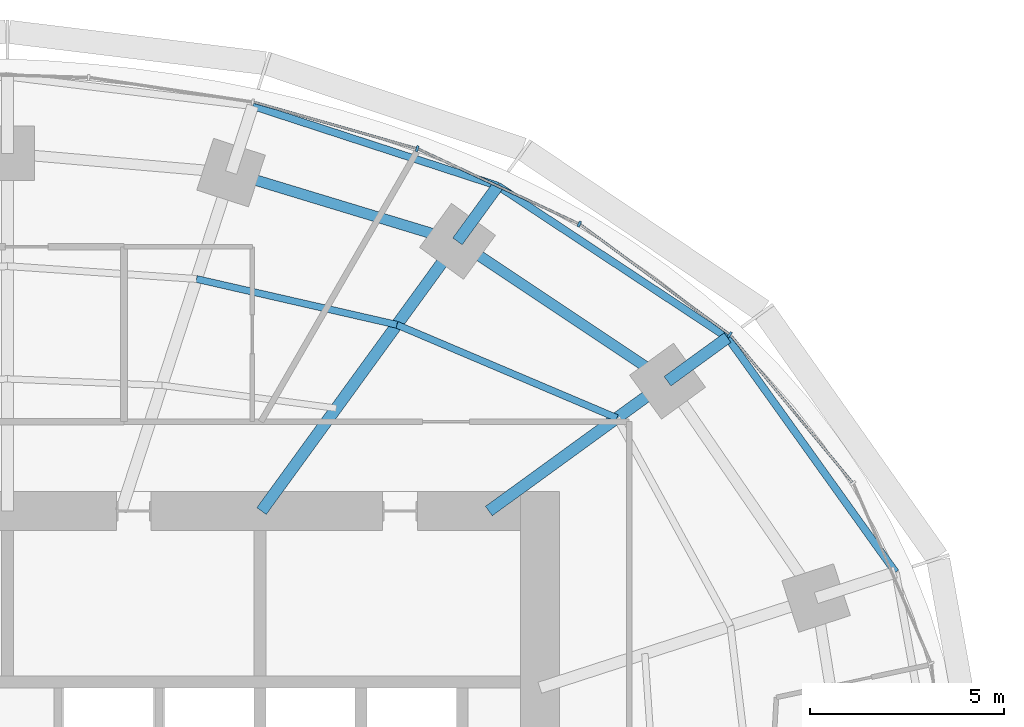
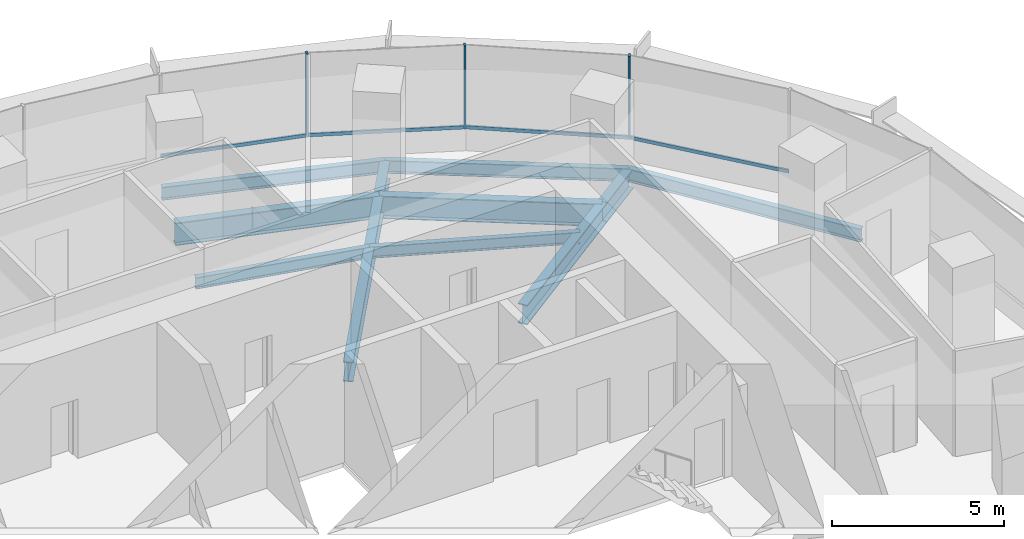
# One storey, part 8 of 14: 11 beams, 7 members, 2 elements without a shape of their own.
"""IFC4 building model written with IfcOpenShell, lengths in metres."""

import ifcopenshell
import ifcopenshell.guid

model = None  # the IFC model being written
_history = None  # IfcOwnerHistory: only IFC2X3 demands one
_inside = {}  # id of a spatial element -> (the spatial element, [elements in it])
_under = {}  # id of a project, library or spatial element -> (it, [spatial elements below it])
_declared = {}  # id of a project -> (the project, [libraries it declares])
_typed = {}  # id of a type object -> (the type object, [elements of that type])
_made_of = {}  # id of a material, layer set ... -> (it, [elements and type objects made of it])


def new_model(schema):
    """Start an empty IFC model of exactly this schema.

    Asked for "IFC4X3", IfcOpenShell would pick the latest addendum, in which some entities
    have other attributes; the version numbers below select the first issue.
    IFC2X3 requires an IfcOwnerHistory on every rooted entity: one is made here for all.
    """
    global model, _history
    if schema == "IFC4X3":
        model = ifcopenshell.file(schema_version=(4, 3, 0, 0))
    else:
        model = ifcopenshell.file(schema=schema)
    _inside.clear()
    _under.clear()
    _declared.clear()
    _typed.clear()
    _made_of.clear()
    _history = None
    if model.schema == "IFC2X3":
        org = make("IfcOrganization", Name="unknown")
        user = make(
            "IfcPersonAndOrganization",
            ThePerson=make("IfcPerson", FamilyName="unknown"),
            TheOrganization=org,
        )
        app = make(
            "IfcApplication",
            ApplicationDeveloper=org,
            Version="unknown",
            ApplicationFullName="unknown",
            ApplicationIdentifier="unknown",
        )
        _history = make(
            "IfcOwnerHistory",
            OwningUser=user,
            OwningApplication=app,
            ChangeAction="ADDED",
            CreationDate=0,
        )
    return model


def make(cls, **values):
    """One entity of the class cls with the attributes given. An attribute that is None is left unset."""
    return model.create_entity(
        cls, **{name: value for name, value in values.items() if value is not None}
    )


def rooted(cls, **values):
    """An entity with a GlobalId (a new one), such as an element, a storey or a relation."""
    return make(cls, GlobalId=ifcopenshell.guid.new(), OwnerHistory=_history, **values)


def si_unit(unit_type, name, prefix=None):
    """IfcSIUnit, for example si_unit("LENGTHUNIT", "METRE", prefix="MILLI")."""
    return make("IfcSIUnit", UnitType=unit_type, Prefix=prefix, Name=name)


def assignment(units):
    """IfcUnitAssignment: the units of a project."""
    return None if units is None else make("IfcUnitAssignment", Units=units)


def point(xyz):
    """IfcCartesianPoint."""
    return None if xyz is None else make("IfcCartesianPoint", Coordinates=xyz)


def direction(xyz):
    """IfcDirection."""
    return None if xyz is None else make("IfcDirection", DirectionRatios=xyz)


def frame(location, z_axis=None, x_axis=None):
    """IfcAxis2Placement3D, a coordinate frame: its origin and axes. An axis left out is left unset."""
    return make(
        "IfcAxis2Placement3D",
        Location=point(location),
        Axis=direction(z_axis),
        RefDirection=direction(x_axis),
    )


def frame_2d(location, x_axis=None):
    """IfcAxis2Placement2D, a coordinate frame in the plane: its origin and x axis."""
    return make(
        "IfcAxis2Placement2D", Location=point(location), RefDirection=direction(x_axis)
    )


def origin():
    """The frame at (0, 0, 0) with its axes left unset."""
    return frame((0.0, 0.0, 0.0))


def origin_2d():
    """The frame at (0, 0) in the plane with its x axis left unset."""
    return frame_2d((0.0, 0.0))


def place(relative_to, where):
    """IfcLocalPlacement: puts the frame where relative to a parent placement (None: the world)."""
    return make(
        "IfcLocalPlacement", PlacementRelTo=relative_to, RelativePlacement=where
    )


def context(
    kind, dimensions, precision=None, world=None, true_north=None, identifier=None
):
    """IfcGeometricRepresentationContext, for example the 3D "Model" context."""
    return make(
        "IfcGeometricRepresentationContext",
        ContextIdentifier=identifier,
        ContextType=kind,
        CoordinateSpaceDimension=dimensions,
        Precision=precision,
        WorldCoordinateSystem=world,
        TrueNorth=true_north,
    )


def subcontext(parent, identifier, kind, view, scale=None):
    """IfcGeometricRepresentationSubContext, for example "Body" below "Model"."""
    return make(
        "IfcGeometricRepresentationSubContext",
        ContextIdentifier=identifier,
        ContextType=kind,
        ParentContext=parent,
        TargetScale=scale,
        TargetView=view,
    )


def project(units=None, contexts=None):
    """IfcProject with its units and contexts."""
    return rooted(
        "IfcProject",
        Name="project",
        RepresentationContexts=contexts,
        UnitsInContext=assignment(units),
    )


def spatial(cls, under=None, at=None, **own):
    """A site, building, storey or space (cls), placed at a placement, below another one or the project."""
    s = rooted(cls, ObjectPlacement=at, **own)
    if under is not None:
        _under.setdefault(under.id(), (under, []))[1].append(s)
    return s


def profile(cls, at=None, kind="AREA", **sizes):
    """A parametric profile (cls). Its sizes go by their IFC names, for example OverallWidth=200.0."""
    return make(cls, ProfileType=kind, Position=at, **sizes)


def rectangle(**sizes):
    """IfcRectangleProfileDef."""
    return profile("IfcRectangleProfileDef", **sizes)


def i_section(**sizes):
    """IfcIShapeProfileDef."""
    return profile("IfcIShapeProfileDef", **sizes)


def extrude(swept, where, along, depth):
    """IfcExtrudedAreaSolid: the profile swept, set in the frame where, extruded along a direction by depth."""
    return make(
        "IfcExtrudedAreaSolid",
        SweptArea=swept,
        Position=where,
        ExtrudedDirection=direction(along),
        Depth=depth,
    )


def shape(context_of_items, identifier, shape_type, items):
    """IfcShapeRepresentation: the items that make up one representation, for example the "Body"."""
    return make(
        "IfcShapeRepresentation",
        ContextOfItems=context_of_items,
        RepresentationIdentifier=identifier,
        RepresentationType=shape_type,
        Items=items,
    )


def material(Name=None, Category=None):
    """IfcMaterial."""
    return make("IfcMaterial", Name=Name, Category=Category)


def material_profile(
    of_material, cross_section, Name=None, Category=None, Priority=None
):
    """IfcMaterialProfile: a cross section and its material."""
    return make(
        "IfcMaterialProfile",
        Name=Name,
        Material=of_material,
        Profile=cross_section,
        Priority=Priority,
        Category=Category,
    )


def profile_set(profiles, Name=None, composite=None):
    """IfcMaterialProfileSet."""
    return make(
        "IfcMaterialProfileSet",
        Name=Name,
        MaterialProfiles=profiles,
        CompositeProfile=composite,
    )


def made_of(thing, what):
    """Note that an element or type object is made of a material, layer set ...; save() writes the relation."""
    if what is not None:
        _made_of.setdefault(what.id(), (what, []))[1].append(thing)
    return thing


def type_object(cls, material=None, **own):
    """A type object (cls), such as IfcWallType, which elements share."""
    return made_of(rooted(cls, **own), material)


def element(
    cls,
    number,
    at=None,
    inside=None,
    cuts=None,
    type_object=None,
    material=None,
    context=None,
    identifier="Body",
    shape_type=None,
    held_by="IfcProductDefinitionShape",
    body=None,
    shapes=None,
    **own,
):
    """One element of the class cls, such as IfcWall. Its Tag is "e" and its number.

    at: its placement. inside: the storey or other place that contains it. cuts: it is an
    opening in that element (IfcRelVoidsElement). A single representation is given by context,
    identifier, shape_type and body (its items); several are given by shapes. held_by: the class
    of the entity that holds the representations. save() writes the other relations.
    """
    e = rooted(cls, Tag="e%d" % number, ObjectPlacement=at, **own)
    if body is not None:
        shapes = [shape(context, identifier, shape_type, body)]
    if shapes is not None:
        e.Representation = make(held_by, Representations=shapes)
    if inside is not None:
        _inside.setdefault(inside.id(), (inside, []))[1].append(e)
    if cuts is not None:
        rooted(
            "IfcRelVoidsElement", RelatingBuildingElement=cuts, RelatedOpeningElement=e
        )
    if type_object is not None:
        _typed.setdefault(type_object.id(), (type_object, []))[1].append(e)
    return made_of(e, material)


def aggregate(whole, parts):
    """IfcRelAggregates: a whole, such as a stair, and the parts it consists of."""
    return rooted("IfcRelAggregates", RelatingObject=whole, RelatedObjects=parts)


def save(model, path):
    """Write the relations noted so far, then the file.

    IfcRelAggregates (storeys below a building ...), IfcRelContainedInSpatialStructure (elements
    in a storey), IfcRelDefinesByType, IfcRelAssociatesMaterial and IfcRelDeclares: one each for
    every whole, place, type object, material and project.
    """
    for whole, parts in _under.values():
        aggregate(whole, parts)
    for where, things in _inside.values():
        rooted(
            "IfcRelContainedInSpatialStructure",
            RelatedElements=things,
            RelatingStructure=where,
        )
    for kind, things in _typed.values():
        rooted("IfcRelDefinesByType", RelatedObjects=things, RelatingType=kind)
    for what, things in _made_of.values():
        rooted("IfcRelAssociatesMaterial", RelatedObjects=things, RelatingMaterial=what)
    for by, libraries in _declared.values():
        rooted("IfcRelDeclares", RelatingContext=by, RelatedDefinitions=libraries)
    model.write(path)


model = new_model("IFC4")

# Units and contexts
model_context = context("Model", 3, precision=1e-05, world=origin(), true_north=direction((0.0, 1.0)))
body_context = subcontext(model_context, "Body", "Model", "MODEL_VIEW")
ifc_project = project(units=[si_unit("LENGTHUNIT", "METRE"), si_unit("AREAUNIT", "SQUARE_METRE"), si_unit("VOLUMEUNIT", "CUBIC_METRE"), si_unit("PLANEANGLEUNIT", "RADIAN"), si_unit("MASSUNIT", "GRAM", prefix="KILO")], contexts=[model_context])

# Site, building, storey
site_placement = place(None, origin())
site = spatial("IfcSite", under=ifc_project, at=site_placement, CompositionType="ELEMENT")
building_placement = place(site_placement, origin())
building = spatial("IfcBuilding", under=site, at=building_placement, Name="Marramba Exchange Tower", CompositionType="ELEMENT")
storey_placement = place(building_placement, frame((0.0, 0.0, 199.39990234375)))
storey = spatial("IfcBuildingStorey", under=building, at=storey_placement, Name="L48", CompositionType="ELEMENT", Elevation=199.39990234375)

# Beams
ifc_material_1 = material(Name="Steel AS/NZS 3679.2 grade 300", Category="steel")
ifc_material_profile_1 = material_profile(ifc_material_1, i_section(OverallWidth=0.300048828125, OverallDepth=0.699951171875, WebThickness=0.010009765625, FlangeThickness=0.031982421875, at=origin_2d()), Name="700WB173")
ifc_profile_set_1 = profile_set([ifc_material_profile_1], Name="Steel AS/NZS 3679.2 grade 300")
beam_type_1 = type_object("IfcBeamType", Name="Cantilever girder 700WB173", PredefinedType="BEAM", material=ifc_profile_set_1)
beam_1_placement = place(storey_placement, frame((16.98583984375, 12.3408203125, -0.510009765625), z_axis=(0.808962750283, 0.587859905636, 0.0), x_axis=(-0.587859905636, 0.808962750283, 0.0)))
element("IfcBeam", 1, at=beam_1_placement, inside=storey, type_object=beam_type_1, Name="Cantilever girder L48 TC03", PredefinedType="BEAM", context=body_context, shape_type="SweptSolid", body=[
    extrude(i_section(OverallWidth=0.300048828125, OverallDepth=0.699951171875, WebThickness=0.010009765625, FlangeThickness=0.031982421875, at=origin_2d()), origin(), (0.0, 0.0, 1.0), 1.9091796875),
])
beam_2_placement = place(storey_placement, frame((11.581298828125, 15.9404296875, -0.510009765625), z_axis=(0.587817766387, 0.808993370504, 0.0), x_axis=(-0.808993370504, 0.587817766387, 0.0)))
element("IfcBeam", 2, at=beam_2_placement, inside=storey, type_object=beam_type_1, Name="Cantilever girder L48 TC04", PredefinedType="BEAM", context=body_context, shape_type="SweptSolid", body=[
    extrude(i_section(OverallWidth=0.300048828125, OverallDepth=0.699951171875, WebThickness=0.010009765625, FlangeThickness=0.031982421875, at=origin_2d()), origin(), (0.0, 0.0, 1.0), 1.763916015625),
])
ifc_material_2 = material(Name="Steel AS/NZS 3679.1 grade 300", Category="steel")
ifc_material_profile_2 = material_profile(ifc_material_2, i_section(OverallWidth=0.177978515625, OverallDepth=0.406005859375, WebThickness=0.0078125, FlangeThickness=0.0126953125, FilletRadius=0.011474609375, at=origin_2d()), Name="410UB59.7")
ifc_profile_set_2 = profile_set([ifc_material_profile_2], Name="Steel AS/NZS 3679.1 grade 300")
beam_type_2 = type_object("IfcBeamType", Name="Floor joist 410UB59.7", PredefinedType="JOIST", material=ifc_profile_set_2)
beam_3_placement = place(storey_placement, frame((15.682373046875, 11.393798828125, -0.36279296875), z_axis=(-0.920674336375, 0.390331610738, 0.0), x_axis=(-0.390331610738, -0.920674336375, 0.0)))
element("IfcBeam", 3, at=beam_3_placement, inside=storey, type_object=beam_type_2, Name="Joist L48 bay 03 row 2", PredefinedType="JOIST", context=body_context, shape_type="SweptSolid", body=[
    extrude(i_section(OverallWidth=0.177978515625, OverallDepth=0.406005859375, WebThickness=0.0078125, FlangeThickness=0.0126953125, FilletRadius=0.011474609375, at=origin_2d()), origin(), (0.0, 0.0, 1.0), 6.1484375),
])
beam_4_placement = place(storey_placement, frame((10.021728515625, 13.793701171875, -0.36279296875), z_axis=(-0.974859652292, 0.222819788916, 0.0), x_axis=(-0.222819788916, -0.974859652292, 0.0)))
element("IfcBeam", 4, at=beam_4_placement, inside=storey, type_object=beam_type_2, Name="Joist L48 bay 04 row 2", PredefinedType="JOIST", context=body_context, shape_type="SweptSolid", body=[
    extrude(i_section(OverallWidth=0.177978515625, OverallDepth=0.406005859375, WebThickness=0.0078125, FlangeThickness=0.0126953125, FilletRadius=0.011474609375, at=origin_2d()), origin(), (0.0, 0.0, 1.0), 5.2900390625),
])

# Curtain wall, members
ifc_material_3 = material(Name="Aluminium framing, bronze anodised", Category="aluminium")
curtain_wall_type = type_object("IfcCurtainWallType", Name="Office ribbon curtain wall", PredefinedType="USERDEFINED", material=ifc_material_3)
curtain_wall_1_placement = place(storey_placement, origin())
curtain_wall_1 = element("IfcCurtainWall", 5, at=curtain_wall_1_placement, inside=storey, type_object=curtain_wall_type, Name="Curtain wall CW4 L48 F01-F05", ObjectType="RIBBON CURTAIN WALL", PredefinedType="USERDEFINED")
ifc_material_4 = material(Name="Aluminium mullion, bronze anodised", Category="aluminium")
ifc_material_profile_3 = material_profile(ifc_material_4, rectangle(XDim=0.159912109375, YDim=0.06005859375, at=origin_2d()), Name="CW4 mullion 60x160")
ifc_profile_set_3 = profile_set([ifc_material_profile_3], Name="Aluminium mullion, bronze anodised")
member_type_1 = type_object("IfcMemberType", Name="Office ribbon curtain wall mullion", PredefinedType="MULLION", material=ifc_profile_set_3)
member_1_placement = place(storey_placement, frame((18.587158203125, 13.53955078125, 0.800048828125), z_axis=(0.0, 0.0, 1.0), x_axis=(-0.593441317494, -0.804877259395, 0.0)))
member_1 = element("IfcMember", 6, at=member_1_placement, type_object=member_type_1, Name="CW4 mullion 1", PredefinedType="MULLION", context=body_context, shape_type="SweptSolid", body=[
    extrude(rectangle(XDim=0.159912109375, YDim=0.06005859375, at=origin_2d()), origin(), (0.0, 0.0, 1.0), 2.93994140625),
])
member_2_placement = place(storey_placement, frame((14.7158203125, 16.386474609375, 0.800048828125), z_axis=(0.0, 0.0, 1.0), x_axis=(-0.422133006189, -0.906533907301, 0.0)))
member_2 = element("IfcMember", 7, at=member_2_placement, type_object=member_type_1, Name="CW4 mullion 1", PredefinedType="MULLION", context=body_context, shape_type="SweptSolid", body=[
    extrude(rectangle(XDim=0.159912109375, YDim=0.06005859375, at=origin_2d()), origin(), (0.0, 0.0, 1.0), 2.93994140625),
])

# Curtain wall, member
curtain_wall_2_placement = place(storey_placement, origin())
curtain_wall_2 = element("IfcCurtainWall", 8, at=curtain_wall_2_placement, inside=storey, type_object=curtain_wall_type, Name="Curtain wall CW4 L48 F06-F10", ObjectType="RIBBON CURTAIN WALL", PredefinedType="USERDEFINED")
member_3_placement = place(storey_placement, frame((10.54541015625, 18.3232421875, 0.800048828125), z_axis=(0.0, 0.0, 1.0), x_axis=(-0.274248164656, -0.961658954195, 0.0)))
member_3 = element("IfcMember", 9, at=member_3_placement, type_object=member_type_1, Name="CW4 mullion 1", PredefinedType="MULLION", context=body_context, shape_type="SweptSolid", body=[
    extrude(rectangle(XDim=0.159912109375, YDim=0.06005859375, at=origin_2d()), origin(), (0.0, 0.0, 1.0), 2.93994140625),
])

# Member
ifc_material_5 = material(Name="Aluminium transom, bronze anodised", Category="aluminium")
ifc_material_profile_4 = material_profile(ifc_material_5, rectangle(XDim=0.06005859375, YDim=0.1201171875, at=origin_2d()), Name="CW4 transom 60x120")
ifc_profile_set_4 = profile_set([ifc_material_profile_4], Name="Aluminium transom, bronze anodised")
member_type_2 = type_object("IfcMemberType", Name="Office ribbon curtain wall transom", PredefinedType="USERDEFINED", material=ifc_profile_set_4)
member_4_placement = place(storey_placement, frame((21.73779296875, 9.74169921875, 0.830078125), z_axis=(-0.637375191043, 0.770553609973, 0.0), x_axis=(-0.770553609973, -0.637375191043, 0.0)))
member_4 = element("IfcMember", 10, at=member_4_placement, type_object=member_type_2, Name="CW4 sill transom", ObjectType="TRANSOM", PredefinedType="USERDEFINED", context=body_context, shape_type="SweptSolid", body=[
    extrude(rectangle(XDim=0.06005859375, YDim=0.1201171875, at=origin_2d()), origin(), (0.0, 0.0, 1.0), 4.905517578125),
])

member_5_placement = place(storey_placement, frame((18.56298828125, 13.557373046875, 0.830078125), z_axis=(-0.804874780157, 0.593444680039, 0.0), x_axis=(-0.593444680039, -0.804874780157, 0.0)))
member_5 = element("IfcMember", 11, at=member_5_placement, type_object=member_type_2, Name="CW4 sill transom", ObjectType="TRANSOM", PredefinedType="USERDEFINED", context=body_context, shape_type="SweptSolid", body=[
    extrude(rectangle(XDim=0.06005859375, YDim=0.1201171875, at=origin_2d()), origin(), (0.0, 0.0, 1.0), 4.745849609375),
])

member_6_placement = place(storey_placement, frame((14.688720703125, 16.399169921875, 0.830078125), z_axis=(-0.906548348139, 0.422101992989, 0.0), x_axis=(-0.422101992989, -0.906548348139, 0.0)))
member_6 = element("IfcMember", 12, at=member_6_placement, type_object=member_type_2, Name="CW4 sill transom", ObjectType="TRANSOM", PredefinedType="USERDEFINED", context=body_context, shape_type="SweptSolid", body=[
    extrude(rectangle(XDim=0.06005859375, YDim=0.1201171875, at=origin_2d()), origin(), (0.0, 0.0, 1.0), 4.53857421875),
])

aggregate(curtain_wall_1, [member_4, member_1, member_5, member_2, member_6])

member_7_placement = place(storey_placement, frame((10.5166015625, 18.33154296875, 0.830078125), z_axis=(-0.961661807825, 0.274238158125, 0.0), x_axis=(-0.274238158125, -0.961661807825, 0.0)))
member_7 = element("IfcMember", 13, at=member_7_placement, type_object=member_type_2, Name="CW4 sill transom", ObjectType="TRANSOM", PredefinedType="USERDEFINED", context=body_context, shape_type="SweptSolid", body=[
    extrude(rectangle(XDim=0.06005859375, YDim=0.1201171875, at=origin_2d()), origin(), (0.0, 0.0, 1.0), 4.340087890625),
])

aggregate(curtain_wall_2, [member_3, member_7])

# Beams
ifc_material_profile_5 = material_profile(ifc_material_1, i_section(OverallWidth=0.300048828125, OverallDepth=0.699951171875, WebThickness=0.010009765625, FlangeThickness=0.031982421875, at=origin_2d()), Name="700WB173")
ifc_profile_set_5 = profile_set([ifc_material_profile_5], Name="Steel AS/NZS 3679.2 grade 300")
beam_type_3 = type_object("IfcBeamType", Name="Radial girder 700WB173", PredefinedType="BEAM", material=ifc_profile_set_5)
beam_5_placement = place(storey_placement, frame((12.387451171875, 9.0, -0.510009765625), z_axis=(0.809025746925, 0.587773205252, 0.0), x_axis=(-0.587773205252, 0.809025746925, 0.0)))
element("IfcBeam", 14, at=beam_5_placement, inside=storey, type_object=beam_type_3, Name="Radial girder L48 TC03", PredefinedType="BEAM", context=body_context, shape_type="SweptSolid", body=[
    extrude(i_section(OverallWidth=0.300048828125, OverallDepth=0.699951171875, WebThickness=0.010009765625, FlangeThickness=0.031982421875, at=origin_2d()), origin(), (0.0, 0.0, 1.0), 5.683837890625),
])
beam_6_placement = place(storey_placement, frame((6.538818359375, 9.0, -0.510009765625), z_axis=(0.587782439969, 0.80901903764, 0.0), x_axis=(-0.80901903764, 0.587782439969, 0.0)))
element("IfcBeam", 15, at=beam_6_placement, inside=storey, type_object=beam_type_3, Name="Radial girder L48 TC04", PredefinedType="BEAM", context=body_context, shape_type="SweptSolid", body=[
    extrude(i_section(OverallWidth=0.300048828125, OverallDepth=0.699951171875, WebThickness=0.010009765625, FlangeThickness=0.031982421875, at=origin_2d()), origin(), (0.0, 0.0, 1.0), 8.578857421875),
])
ifc_material_profile_6 = material_profile(ifc_material_1, i_section(OverallWidth=0.27490234375, OverallDepth=0.800048828125, WebThickness=0.010009765625, FlangeThickness=0.02490234375, at=origin_2d()), Name="800WB168")
ifc_profile_set_6 = profile_set([ifc_material_profile_6], Name="Steel AS/NZS 3679.2 grade 300")
beam_type_4 = type_object("IfcBeamType", Name="Ring beam 800WB168", PredefinedType="SPANDREL", material=ifc_profile_set_6)
beam_7_placement = place(storey_placement, frame((16.98583984375, 12.3408203125, -0.559814453125), z_axis=(-0.832293151443, 0.554335737673, 0.0), x_axis=(-0.554335737673, -0.832293151443, 0.0)))
element("IfcBeam", 16, at=beam_7_placement, inside=storey, type_object=beam_type_4, Name="Ring beam L48 TC03-TC04", PredefinedType="SPANDREL", context=body_context, shape_type="SweptSolid", body=[
    extrude(i_section(OverallWidth=0.27490234375, OverallDepth=0.800048828125, WebThickness=0.010009765625, FlangeThickness=0.02490234375, at=origin_2d()), origin(), (0.0, 0.0, 1.0), 6.49365234375),
])
beam_8_placement = place(storey_placement, frame((11.581298828125, 15.9404296875, -0.559814453125), z_axis=(-0.956924542524, 0.290336735387, 0.0), x_axis=(-0.290336735387, -0.956924542524, 0.0)))
element("IfcBeam", 17, at=beam_8_placement, inside=storey, type_object=beam_type_4, Name="Ring beam L48 TC04-TC05", PredefinedType="SPANDREL", context=body_context, shape_type="SweptSolid", body=[
    extrude(i_section(OverallWidth=0.27490234375, OverallDepth=0.800048828125, WebThickness=0.010009765625, FlangeThickness=0.02490234375, at=origin_2d()), origin(), (0.0, 0.0, 1.0), 6.089599609375),
])
ifc_material_profile_7 = material_profile(ifc_material_2, i_section(OverallWidth=0.19091796875, OverallDepth=0.4599609375, WebThickness=0.010009765625, FlangeThickness=0.01611328125, FilletRadius=0.011474609375, at=origin_2d()), Name="460UB82.1")
ifc_profile_set_7 = profile_set([ifc_material_profile_7], Name="Steel AS/NZS 3679.1 grade 300")
beam_type_5 = type_object("IfcBeamType", Name="Slab edge beam 460UB82.1", PredefinedType="SPANDREL", material=ifc_profile_set_7)
beam_9_placement = place(storey_placement, frame((22.853515625, 7.425537109375, -0.389892578125), z_axis=(-0.582189457885, 0.813053156398, 0.0), x_axis=(-0.813053156398, -0.582189457885, 0.0)))
element("IfcBeam", 18, at=beam_9_placement, inside=storey, type_object=beam_type_5, Name="Slab edge beam L48 TC02-TC03", PredefinedType="SPANDREL", context=body_context, shape_type="SweptSolid", body=[
    extrude(i_section(OverallWidth=0.19091796875, OverallDepth=0.4599609375, WebThickness=0.010009765625, FlangeThickness=0.01611328125, FilletRadius=0.011474609375, at=origin_2d()), origin(), (0.0, 0.0, 1.0), 7.42578125),
])
beam_10_placement = place(storey_placement, frame((18.5302734375, 13.463134765625, -0.389892578125), z_axis=(-0.834459826117, 0.551068778463, 0.0), x_axis=(-0.551068778463, -0.834459826117, 0.0)))
element("IfcBeam", 19, at=beam_10_placement, inside=storey, type_object=beam_type_5, Name="Slab edge beam L48 TC03-TC04", PredefinedType="SPANDREL", context=body_context, shape_type="SweptSolid", body=[
    extrude(i_section(OverallWidth=0.19091796875, OverallDepth=0.4599609375, WebThickness=0.010009765625, FlangeThickness=0.01611328125, FilletRadius=0.011474609375, at=origin_2d()), origin(), (0.0, 0.0, 1.0), 7.0849609375),
])
beam_11_placement = place(storey_placement, frame((12.6181640625, 17.367431640625, -0.389892578125), z_axis=(-0.950608559101, 0.310392279809, 0.0), x_axis=(-0.310392279809, -0.950608559101, 0.0)))
element("IfcBeam", 20, at=beam_11_placement, inside=storey, type_object=beam_type_5, Name="Slab edge beam L48 TC04-TC05", PredefinedType="SPANDREL", context=body_context, shape_type="SweptSolid", body=[
    extrude(i_section(OverallWidth=0.19091796875, OverallDepth=0.4599609375, WebThickness=0.010009765625, FlangeThickness=0.01611328125, FilletRadius=0.011474609375, at=origin_2d()), origin(), (0.0, 0.0, 1.0), 6.6337890625),
])

save(model, "model.ifc")
